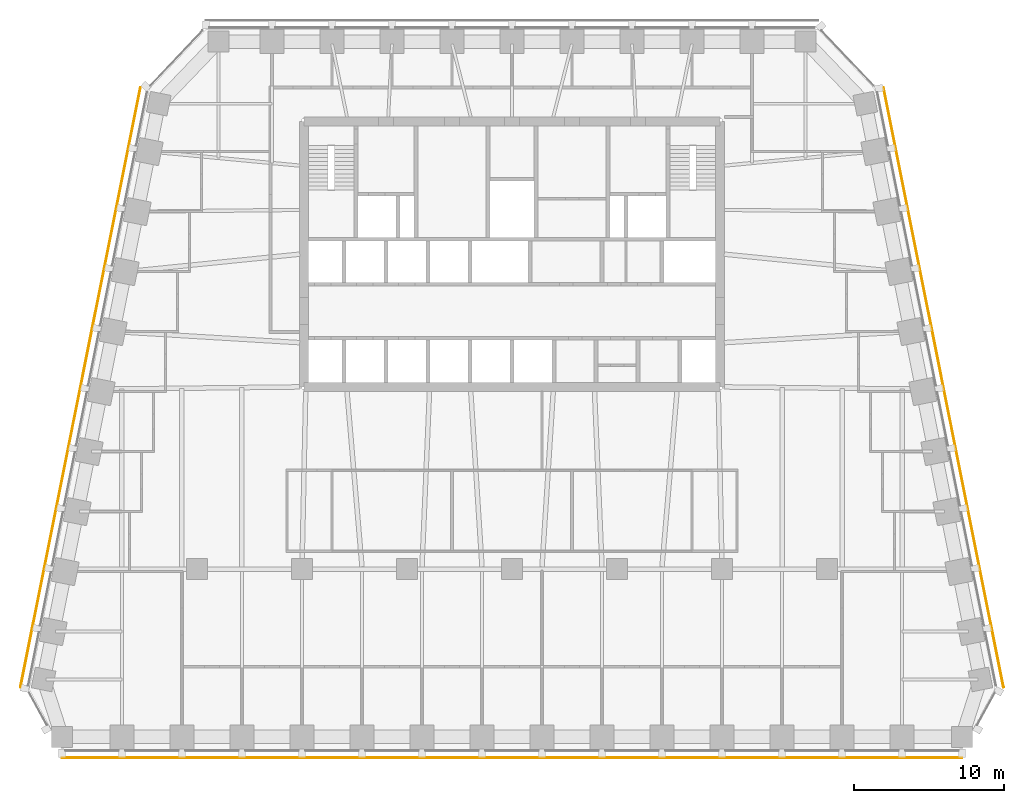
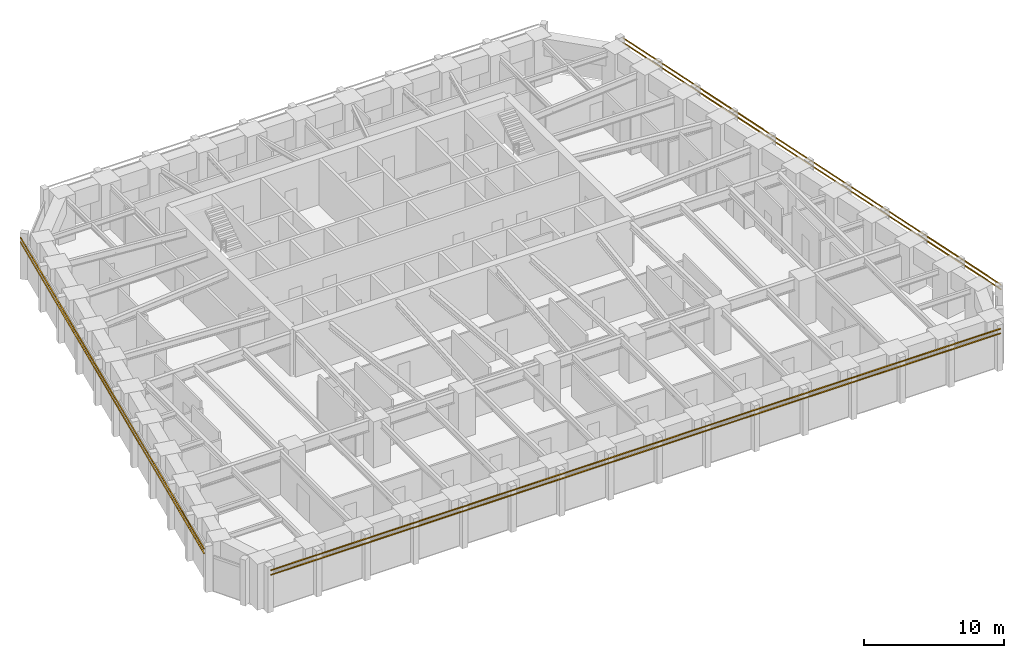
# One storey, part 10 of 11: 6 shading devices.
"""IFC4 building model written with IfcOpenShell, lengths in metres."""

from ifc_helpers import new_model, si_unit, direction, frame, origin, origin_2d, place, context, subcontext, project, spatial, rectangle, extrude, material, material_profile, profile_set, type_object, element, save


model = new_model("IFC4")

# Units and contexts
model_context = context("Model", 3, precision=1e-05, world=origin(), true_north=direction((0.0, 1.0)))
body_context = subcontext(model_context, "Body", "Model", "MODEL_VIEW")
ifc_project = project(units=[si_unit("LENGTHUNIT", "METRE"), si_unit("AREAUNIT", "SQUARE_METRE"), si_unit("VOLUMEUNIT", "CUBIC_METRE"), si_unit("PLANEANGLEUNIT", "RADIAN"), si_unit("MASSUNIT", "GRAM", prefix="KILO")], contexts=[model_context])

# Site, building, storey
site_placement = place(None, origin())
site = spatial("IfcSite", under=ifc_project, at=site_placement, CompositionType="ELEMENT")
building_placement = place(site_placement, origin())
building = spatial("IfcBuilding", under=site, at=building_placement, Name="Isbrekke Arena Tower", CompositionType="ELEMENT")
storey_placement = place(building_placement, frame((0.0, 0.0, 210.0)))
storey = spatial("IfcBuildingStorey", under=building, at=storey_placement, Name="L48", CompositionType="ELEMENT", Elevation=210.0)

# Shading devices
ifc_material = material(Name="Terracotta", Category="masonry")
ifc_material_profile = material_profile(ifc_material, rectangle(XDim=0.06005859375, YDim=0.06005859375, at=origin_2d()), Name="BAGUETTE 60X60")
ifc_profile_set = profile_set([ifc_material_profile], Name="Terracotta")
shading_device_type = type_object("IfcShadingDeviceType", Name="BG1 TERRACOTTA BAGUETTE 60 x 60", PredefinedType="USERDEFINED", material=ifc_profile_set)
for number, where, z_axis, x_axis, name in (
    (1, (-30.0, -18.580078125, 3.280029296875), (1.0, 0.0, 0.0), (0.0, 1.0, 0.0), "BG1 terracotta baguette S1 L48"),
    (2, (-30.0, -18.580078125, 3.679931640625), (1.0, 0.0, 0.0), (0.0, 1.0, 0.0), "BG1 terracotta baguette S2 L48"),
):
    element("IfcShadingDevice", number, at=place(storey_placement, frame(where, z_axis=z_axis, x_axis=x_axis)), inside=storey, type_object=shading_device_type, Name=name, ObjectType="TERRACOTTA BAGUETTE", PredefinedType="USERDEFINED", context=body_context, shape_type="SweptSolid", body=[
        extrude(rectangle(XDim=0.06005859375, YDim=0.06005859375, at=origin_2d()), origin(), (0.0, 0.0, 1.0), 60.0),
    ])
for number, where, z_axis, x_axis, name in (
    (3, (32.768798828125, -13.88623046875, 3.280029296875), (-0.196116135138, 0.980580675691, 0.0), (-0.980580675691, -0.196116135138, 0.0), "BG1 terracotta baguette E1 L48"),
    (4, (32.768798828125, -13.88623046875, 3.679931640625), (-0.196116135138, 0.980580675691, 0.0), (-0.980580675691, -0.196116135138, 0.0), "BG1 terracotta baguette E2 L48"),
    (5, (-24.768798828125, 26.11376953125, 3.280029296875), (-0.196116135138, -0.980580675691, 0.0), (0.980580675691, -0.196116135138, 0.0), "BG1 terracotta baguette W1 L48"),
    (6, (-24.768798828125, 26.11376953125, 3.679931640625), (-0.196116135138, -0.980580675691, 0.0), (0.980580675691, -0.196116135138, 0.0), "BG1 terracotta baguette W2 L48"),
):
    element("IfcShadingDevice", number, at=place(storey_placement, frame(where, z_axis=z_axis, x_axis=x_axis)), inside=storey, type_object=shading_device_type, Name=name, ObjectType="TERRACOTTA BAGUETTE", PredefinedType="USERDEFINED", context=body_context, shape_type="SweptSolid", body=[
        extrude(rectangle(XDim=0.06005859375, YDim=0.06005859375, at=origin_2d()), origin(), (0.0, 0.0, 1.0), 40.792236328125),
    ])

save(model, "model.ifc")
